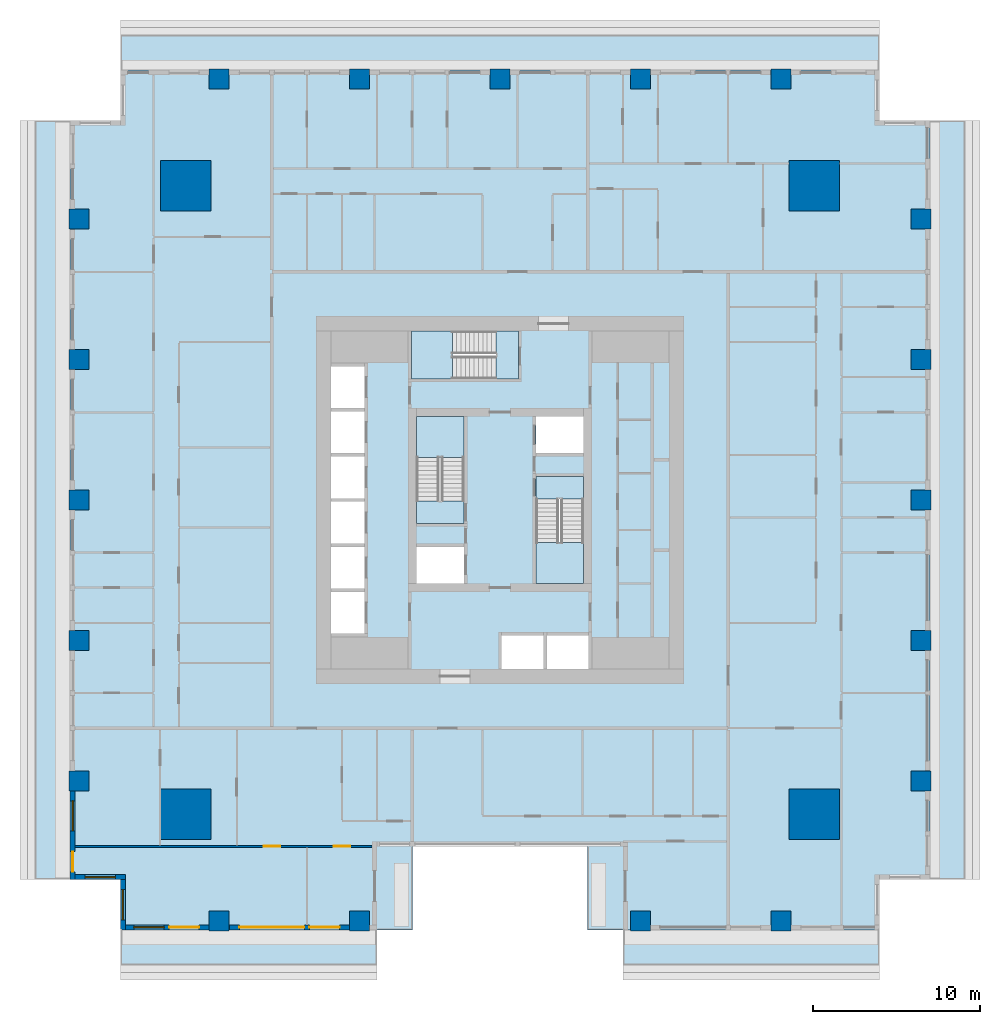
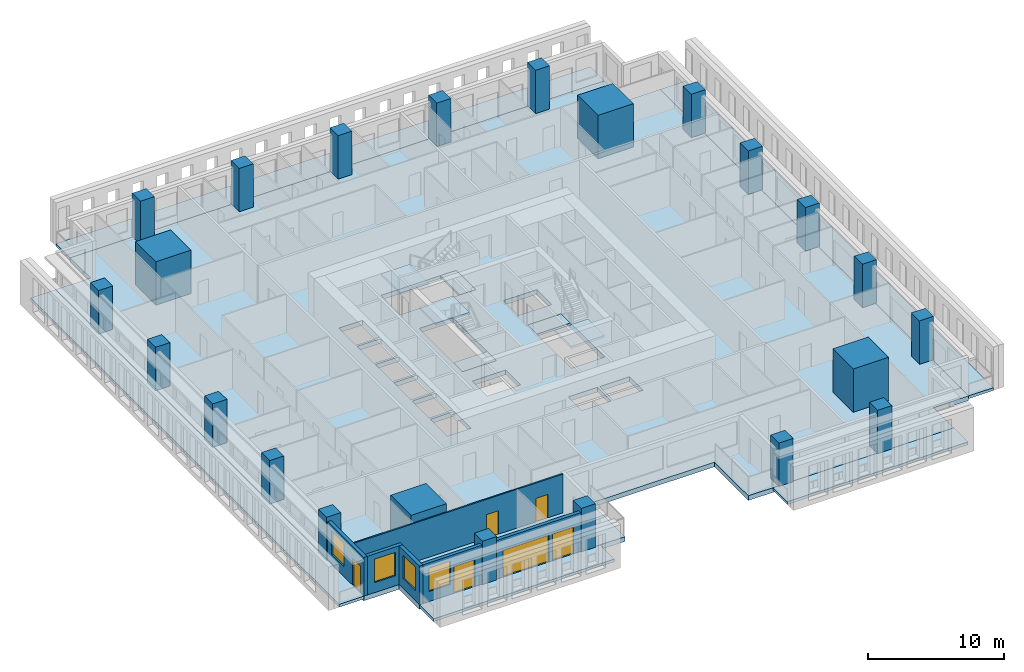
# One storey, part 1 of 15: 23 columns, 12 slabs, 6 doors, 6 walls, 4 windows, 10 openings, 3 elements without a shape of their own.
"""IFC4 building model written with IfcOpenShell, lengths in metres."""

from ifc_helpers import new_model, si_unit, direction, frame, frame_2d, origin, origin_2d, place, context, subcontext, project, spatial, polyline, rectangle, outline, extrude, material, layer, layer_set, material_profile, profile_set, type_object, element, fill, aggregate, save


model = new_model("IFC4")

# Units and contexts
model_context = context("Model", 3, precision=1e-05, world=origin(), true_north=direction((0.0, 1.0)))
body_context = subcontext(model_context, "Body", "Model", "MODEL_VIEW")
ifc_project = project(units=[si_unit("LENGTHUNIT", "METRE"), si_unit("AREAUNIT", "SQUARE_METRE"), si_unit("VOLUMEUNIT", "CUBIC_METRE"), si_unit("PLANEANGLEUNIT", "RADIAN"), si_unit("MASSUNIT", "GRAM", prefix="KILO")], contexts=[model_context])

# Site, building, storey
site_placement = place(None, origin())
site = spatial("IfcSite", under=ifc_project, at=site_placement, CompositionType="ELEMENT")
building_placement = place(site_placement, origin())
building = spatial("IfcBuilding", under=site, at=building_placement, Name="Khepri Terraces", CompositionType="ELEMENT")
storey_placement = place(building_placement, frame((0.0, 0.0, 42.60009765625)))
storey = spatial("IfcBuildingStorey", under=building, at=storey_placement, Name="L09", CompositionType="ELEMENT", Elevation=42.60009765625)

# Columns
ifc_material_1 = material(Name="Concrete C80/95", Category="concrete")
ifc_material_profile_1 = material_profile(ifc_material_1, rectangle(XDim=3.0, YDim=3.0, at=origin_2d()), Name="Concrete C80/95", Category="concrete")
ifc_profile_set_1 = profile_set([ifc_material_profile_1], Name="Concrete C80/95")
column_type_1 = type_object("IfcColumnType", Name="Mega column RC 3000x3000 C80/95", PredefinedType="COLUMN", material=ifc_profile_set_1)
for number, where, z_axis, x_axis, name in (
    (1, (18.800048828125, 18.800048828125, 0.0), (0.0, 0.0, 1.0), (1.0, 0.0, 0.0), "Mega column MEN L09"),
    (2, (18.800048828125, -18.800048828125, 0.0), (0.0, 0.0, 1.0), (1.0, 0.0, 0.0), "Mega column MES L09"),
    (3, (-18.800048828125, 18.800048828125, 0.0), (0.0, 0.0, 1.0), (1.0, 0.0, 0.0), "Mega column MWN L09"),
    (4, (-18.800048828125, -18.800048828125, 0.0), (0.0, 0.0, 1.0), (1.0, 0.0, 0.0), "Mega column MWS L09"),
):
    element("IfcColumn", number, at=place(storey_placement, frame(where, z_axis=z_axis, x_axis=x_axis)), inside=storey, type_object=column_type_1, Name=name, PredefinedType="COLUMN", context=body_context, shape_type="SweptSolid", body=[
        extrude(rectangle(XDim=3.0, YDim=3.0, at=origin_2d()), origin(), (0.0, 0.0, 1.0), 3.89990234375),
    ])
ifc_material_profile_2 = material_profile(ifc_material_1, rectangle(XDim=1.199951171875, YDim=1.199951171875, at=origin_2d()), Name="Concrete C80/95", Category="concrete")
ifc_profile_set_2 = profile_set([ifc_material_profile_2], Name="Concrete C80/95")
column_type_2 = type_object("IfcColumnType", Name="Tower column RC 1200x1200 C80/95", PredefinedType="COLUMN", material=ifc_profile_set_2)
for number, where, z_axis, x_axis, name in (
    (5, (25.199951171875, 0.0, 0.0), (0.0, 0.0, 1.0), (1.0, 0.0, 0.0), "Perimeter column PE+000a L09"),
    (6, (25.199951171875, 8.39990234375, 0.0), (0.0, 0.0, 1.0), (1.0, 0.0, 0.0), "Perimeter column PE+084a L09"),
    (7, (25.199951171875, 16.800048828125, 0.0), (0.0, 0.0, 1.0), (1.0, 0.0, 0.0), "Perimeter column PE+168a L09"),
    (8, (25.199951171875, -8.39990234375, 0.0), (0.0, 0.0, 1.0), (1.0, 0.0, 0.0), "Perimeter column PE-084a L09"),
    (9, (25.199951171875, -16.800048828125, 0.0), (0.0, 0.0, 1.0), (1.0, 0.0, 0.0), "Perimeter column PE-168a L09"),
    (10, (0.0, 25.199951171875, 0.0), (0.0, 0.0, 1.0), (1.0, 0.0, 0.0), "Perimeter column PN+000a L09"),
    (11, (-8.39990234375, 25.199951171875, 0.0), (0.0, 0.0, 1.0), (1.0, 0.0, 0.0), "Perimeter column PN+084a L09"),
    (12, (-16.800048828125, 25.199951171875, 0.0), (0.0, 0.0, 1.0), (1.0, 0.0, 0.0), "Perimeter column PN+168a L09"),
    (13, (8.39990234375, 25.199951171875, 0.0), (0.0, 0.0, 1.0), (1.0, 0.0, 0.0), "Perimeter column PN-084a L09"),
    (14, (16.800048828125, 25.199951171875, 0.0), (0.0, 0.0, 1.0), (1.0, 0.0, 0.0), "Perimeter column PN-168a L09"),
    (15, (8.39990234375, -25.199951171875, 0.0), (0.0, 0.0, 1.0), (1.0, 0.0, 0.0), "Perimeter column PS+084a L09"),
    (16, (16.800048828125, -25.199951171875, 0.0), (0.0, 0.0, 1.0), (1.0, 0.0, 0.0), "Perimeter column PS+168a L09"),
    (17, (-8.39990234375, -25.199951171875, 0.0), (0.0, 0.0, 1.0), (1.0, 0.0, 0.0), "Perimeter column PS-084a L09"),
    (18, (-16.800048828125, -25.199951171875, 0.0), (0.0, 0.0, 1.0), (1.0, 0.0, 0.0), "Perimeter column PS-168a L09"),
    (19, (-25.199951171875, 0.0, 0.0), (0.0, 0.0, 1.0), (1.0, 0.0, 0.0), "Perimeter column PW+000a L09"),
    (20, (-25.199951171875, -8.39990234375, 0.0), (0.0, 0.0, 1.0), (1.0, 0.0, 0.0), "Perimeter column PW+084a L09"),
    (21, (-25.199951171875, -16.800048828125, 0.0), (0.0, 0.0, 1.0), (1.0, 0.0, 0.0), "Perimeter column PW+168a L09"),
    (22, (-25.199951171875, 8.39990234375, 0.0), (0.0, 0.0, 1.0), (1.0, 0.0, 0.0), "Perimeter column PW-084a L09"),
    (23, (-25.199951171875, 16.800048828125, 0.0), (0.0, 0.0, 1.0), (1.0, 0.0, 0.0), "Perimeter column PW-168a L09"),
):
    element("IfcColumn", number, at=place(storey_placement, frame(where, z_axis=z_axis, x_axis=x_axis)), inside=storey, type_object=column_type_2, Name=name, PredefinedType="COLUMN", context=body_context, shape_type="SweptSolid", body=[
        extrude(rectangle(XDim=1.199951171875, YDim=1.199951171875, at=origin_2d()), origin(), (0.0, 0.0, 1.0), 3.89990234375),
    ])

# Slabs
ifc_material_2 = material(Name="Concrete C40/50", Category="concrete")
ifc_layer_1 = layer(ifc_material_2, 0.419921875, Name="Concrete C40/50", Category="concrete")
ifc_layer_set_1 = layer_set([ifc_layer_1], Name="Concrete C40/50")
slab_type_1 = type_object("IfcSlabType", Name="Flat plate 420", PredefinedType="FLOOR", material=ifc_layer_set_1)
slab_1_placement = place(storey_placement, frame((0.0, 0.0, -0.420166015625)))
element("IfcSlab", 24, at=slab_1_placement, inside=storey, type_object=slab_type_1, Name="Floor slab F01 L09", PredefinedType="FLOOR", context=body_context, shape_type="SweptSolid", body=[
    extrude(outline(polyline([(22.719970703125, -25.719970703125), (7.35009765625, -25.719970703125), (5.25, -25.719970703125), (5.25, -20.719970703125), (-5.25, -20.719970703125), (-5.25, -25.719970703125), (-7.35009765625, -25.719970703125), (-22.719970703125, -25.719970703125), (-22.719970703125, -22.719970703125), (-25.719970703125, -22.719970703125), (-25.719970703125, 22.719970703125), (-22.719970703125, 22.719970703125), (-22.719970703125, 25.719970703125), (22.719970703125, 25.719970703125), (22.719970703125, 22.719970703125), (25.719970703125, 22.719970703125), (25.719970703125, -22.719970703125), (22.719970703125, -22.719970703125), (22.719970703125, -25.719970703125)]), holes=[polyline([(5.0, 5.0), (2.14990234375, 5.0), (2.14990234375, 2.800048828125), (5.0, 2.800048828125), (5.0, 5.0)]), polyline([(-2.14990234375, -5.0), (-2.14990234375, -2.800048828125), (-5.0, -2.800048828125), (-5.0, -5.0), (-2.14990234375, -5.0)]), polyline([(-10.10009765625, -8.0), (-8.10009765625, -8.0), (-8.10009765625, -5.5), (-10.10009765625, -5.5), (-10.10009765625, -8.0)]), polyline([(-10.10009765625, -2.800048828125), (-10.10009765625, -5.300048828125), (-8.10009765625, -5.300048828125), (-8.10009765625, -2.800048828125), (-10.10009765625, -2.800048828125)]), polyline([(-8.10009765625, -0.10009765625), (-10.10009765625, -0.10009765625), (-10.10009765625, -2.60009765625), (-8.10009765625, -2.60009765625), (-8.10009765625, -0.10009765625)]), polyline([(-8.10009765625, 0.10009765625), (-8.10009765625, 2.60009765625), (-10.10009765625, 2.60009765625), (-10.10009765625, 0.10009765625), (-8.10009765625, 0.10009765625)]), polyline([(-10.10009765625, 2.800048828125), (-8.10009765625, 2.800048828125), (-8.10009765625, 5.300048828125), (-10.10009765625, 5.300048828125), (-10.10009765625, 2.800048828125)]), polyline([(-10.10009765625, 8.0), (-10.10009765625, 5.5), (-8.10009765625, 5.5), (-8.10009765625, 8.0), (-10.10009765625, 8.0)]), polyline([(2.60009765625, -8.10009765625), (0.10009765625, -8.10009765625), (0.10009765625, -10.10009765625), (2.60009765625, -10.10009765625), (2.60009765625, -8.10009765625)]), polyline([(5.300048828125, -10.10009765625), (5.300048828125, -8.10009765625), (2.800048828125, -8.10009765625), (2.800048828125, -10.10009765625), (5.300048828125, -10.10009765625)]), polyline([(-5.0, -1.39990234375), (-2.14990234375, -1.39990234375), (-2.14990234375, 5.0), (-5.0, 5.0), (-5.0, -1.39990234375)]), polyline([(5.0, -5.0), (5.0, 1.39990234375), (2.14990234375, 1.39990234375), (2.14990234375, -5.0), (5.0, -5.0)]), polyline([(-5.300048828125, 10.10009765625), (-5.300048828125, 7.25), (1.10009765625, 7.25), (1.10009765625, 10.10009765625), (-5.300048828125, 10.10009765625)])]), origin(), (0.0, 0.0, 1.0), 0.420166015625),
])
ifc_material_3 = material(Name="Precast concrete C50/60 warm stone", Category="masonry")
ifc_layer_2 = layer(ifc_material_3, 0.25, Name="Precast concrete C50/60 warm stone", Category="masonry")
ifc_layer_set_2 = layer_set([ifc_layer_2], Name="Precast concrete C50/60 warm stone")
slab_type_2 = type_object("IfcSlabType", Name="SLB-BALCONY-250", PredefinedType="FLOOR", material=ifc_layer_set_2)
slab_2_placement = place(storey_placement, frame((0.0, 0.0, -0.25)))
element("IfcSlab", 25, at=slab_2_placement, inside=storey, type_object=slab_type_2, Name="Balcony slab L09 S", PredefinedType="FLOOR", context=body_context, shape_type="SweptSolid", body=[
    extrude(outline(polyline([(-17.39990234375, -25.719970703125), (-22.719970703125, -25.719970703125), (-22.719970703125, -27.820068359375), (-7.35009765625, -27.820068359375), (-7.35009765625, -25.719970703125), (-7.800048828125, -25.719970703125), (-7.800048828125, -25.800048828125), (-9.0, -25.800048828125), (-9.0, -25.719970703125), (-16.199951171875, -25.719970703125), (-16.199951171875, -25.800048828125), (-17.39990234375, -25.800048828125), (-17.39990234375, -25.719970703125)])), origin(), (0.0, 0.0, 1.0), 0.25),
])
slab_3_placement = place(storey_placement, frame((0.0, 0.0, -0.25)))
element("IfcSlab", 26, at=slab_3_placement, inside=storey, type_object=slab_type_2, Name="Balcony slab L09 S", PredefinedType="FLOOR", context=body_context, shape_type="SweptSolid", body=[
    extrude(outline(polyline([(7.800048828125, -25.719970703125), (7.35009765625, -25.719970703125), (7.35009765625, -27.820068359375), (22.719970703125, -27.820068359375), (22.719970703125, -25.719970703125), (17.39990234375, -25.719970703125), (17.39990234375, -25.800048828125), (16.199951171875, -25.800048828125), (16.199951171875, -25.719970703125), (9.0, -25.719970703125), (9.0, -25.800048828125), (7.800048828125, -25.800048828125), (7.800048828125, -25.719970703125)])), origin(), (0.0, 0.0, 1.0), 0.25),
])
slab_4_placement = place(storey_placement, frame((0.0, 0.0, -0.25)))
element("IfcSlab", 27, at=slab_4_placement, inside=storey, type_object=slab_type_2, Name="Balcony slab L09 E", PredefinedType="FLOOR", context=body_context, shape_type="SweptSolid", body=[
    extrude(outline(polyline([(25.719970703125, -17.39990234375), (25.719970703125, -22.719970703125), (27.820068359375, -22.719970703125), (27.820068359375, 22.719970703125), (25.719970703125, 22.719970703125), (25.719970703125, 17.39990234375), (25.800048828125, 17.39990234375), (25.800048828125, 16.199951171875), (25.719970703125, 16.199951171875), (25.719970703125, 9.0), (25.800048828125, 9.0), (25.800048828125, 7.800048828125), (25.719970703125, 7.800048828125), (25.719970703125, 0.60009765625), (25.800048828125, 0.60009765625), (25.800048828125, -0.60009765625), (25.719970703125, -0.60009765625), (25.719970703125, -7.800048828125), (25.800048828125, -7.800048828125), (25.800048828125, -9.0), (25.719970703125, -9.0), (25.719970703125, -16.199951171875), (25.800048828125, -16.199951171875), (25.800048828125, -17.39990234375), (25.719970703125, -17.39990234375)])), origin(), (0.0, 0.0, 1.0), 0.25),
])
slab_5_placement = place(storey_placement, frame((0.0, 0.0, -0.25)))
element("IfcSlab", 28, at=slab_5_placement, inside=storey, type_object=slab_type_2, Name="Balcony slab L09 N", PredefinedType="FLOOR", context=body_context, shape_type="SweptSolid", body=[
    extrude(outline(polyline([(17.39990234375, 25.719970703125), (22.719970703125, 25.719970703125), (22.719970703125, 27.820068359375), (-22.719970703125, 27.820068359375), (-22.719970703125, 25.719970703125), (-17.39990234375, 25.719970703125), (-17.39990234375, 25.800048828125), (-16.199951171875, 25.800048828125), (-16.199951171875, 25.719970703125), (-9.0, 25.719970703125), (-9.0, 25.800048828125), (-7.800048828125, 25.800048828125), (-7.800048828125, 25.719970703125), (-0.60009765625, 25.719970703125), (-0.60009765625, 25.800048828125), (0.60009765625, 25.800048828125), (0.60009765625, 25.719970703125), (7.800048828125, 25.719970703125), (7.800048828125, 25.800048828125), (9.0, 25.800048828125), (9.0, 25.719970703125), (16.199951171875, 25.719970703125), (16.199951171875, 25.800048828125), (17.39990234375, 25.800048828125), (17.39990234375, 25.719970703125)])), origin(), (0.0, 0.0, 1.0), 0.25),
])
slab_6_placement = place(storey_placement, frame((0.0, 0.0, -0.25)))
element("IfcSlab", 29, at=slab_6_placement, inside=storey, type_object=slab_type_2, Name="Balcony slab L09 W", PredefinedType="FLOOR", context=body_context, shape_type="SweptSolid", body=[
    extrude(outline(polyline([(-25.719970703125, 17.39990234375), (-25.719970703125, 22.719970703125), (-27.820068359375, 22.719970703125), (-27.820068359375, -22.719970703125), (-25.719970703125, -22.719970703125), (-25.719970703125, -17.39990234375), (-25.800048828125, -17.39990234375), (-25.800048828125, -16.199951171875), (-25.719970703125, -16.199951171875), (-25.719970703125, -9.0), (-25.800048828125, -9.0), (-25.800048828125, -7.800048828125), (-25.719970703125, -7.800048828125), (-25.719970703125, -0.60009765625), (-25.800048828125, -0.60009765625), (-25.800048828125, 0.60009765625), (-25.719970703125, 0.60009765625), (-25.719970703125, 7.800048828125), (-25.800048828125, 7.800048828125), (-25.800048828125, 9.0), (-25.719970703125, 9.0), (-25.719970703125, 16.199951171875), (-25.800048828125, 16.199951171875), (-25.800048828125, 17.39990234375), (-25.719970703125, 17.39990234375)])), origin(), (0.0, 0.0, 1.0), 0.25),
])

# Stair, slabs
stair_type = type_object("IfcStairType", Name="STAIR-RC-22R", PredefinedType="HALF_TURN_STAIR", material=ifc_material_2)
stair_1_placement = place(storey_placement, origin())
stair_1 = element("IfcStair", 30, at=stair_1_placement, inside=storey, type_object=stair_type, Name="L09 Exit Stair ST-1", PredefinedType="HALF_TURN_STAIR")
ifc_layer_3 = layer(ifc_material_2, 0.199951171875, Name="Concrete C40/50", Category="concrete")
ifc_layer_set_3 = layer_set([ifc_layer_3], Name="Concrete C40/50")
slab_type_3 = type_object("IfcSlabType", Name="SLB-CORE-LANDING", PredefinedType="LANDING", material=ifc_layer_set_3)
slab_7_placement = place(storey_placement, frame((0.0, 0.0, -0.2001953125)))
slab_7 = element("IfcSlab", 31, at=slab_7_placement, type_object=slab_type_3, Name="ST-1 landing 1", PredefinedType="LANDING", context=body_context, shape_type="SweptSolid", body=[
    extrude(outline(polyline([(-2.14990234375, -1.39990234375), (-2.14990234375, -0.050048828125), (-5.0, -0.050048828125), (-5.0, -1.39990234375), (-2.14990234375, -1.39990234375)])), origin(), (0.0, 0.0, 1.0), 0.2001953125),
])
slab_8_placement = place(storey_placement, frame((0.0, 0.0, 1.75)))
slab_8 = element("IfcSlab", 32, at=slab_8_placement, type_object=slab_type_3, Name="ST-1 landing 2", PredefinedType="LANDING", context=body_context, shape_type="SweptSolid", body=[
    extrude(outline(polyline([(-2.14990234375, 2.550048828125), (-2.14990234375, 5.0), (-5.0, 5.0), (-5.0, 2.550048828125), (-2.14990234375, 2.550048828125)])), origin(), (0.0, 0.0, 1.0), 0.199951171875),
])
aggregate(stair_1, [slab_7, slab_8])

stair_2_placement = place(storey_placement, origin())
stair_2 = element("IfcStair", 33, at=stair_2_placement, inside=storey, type_object=stair_type, Name="L09 Exit Stair ST-2", PredefinedType="HALF_TURN_STAIR")
slab_9_placement = place(storey_placement, frame((0.0, 0.0, -0.2001953125)))
slab_9 = element("IfcSlab", 34, at=slab_9_placement, type_object=slab_type_3, Name="ST-2 landing 1", PredefinedType="LANDING", context=body_context, shape_type="SweptSolid", body=[
    extrude(outline(polyline([(2.14990234375, 1.39990234375), (2.14990234375, 0.050048828125), (5.0, 0.050048828125), (5.0, 1.39990234375), (2.14990234375, 1.39990234375)])), origin(), (0.0, 0.0, 1.0), 0.2001953125),
])
slab_10_placement = place(storey_placement, frame((0.0, 0.0, 1.75)))
slab_10 = element("IfcSlab", 35, at=slab_10_placement, type_object=slab_type_3, Name="ST-2 landing 2", PredefinedType="LANDING", context=body_context, shape_type="SweptSolid", body=[
    extrude(outline(polyline([(2.14990234375, -2.550048828125), (2.14990234375, -5.0), (5.0, -5.0), (5.0, -2.550048828125), (2.14990234375, -2.550048828125)])), origin(), (0.0, 0.0, 1.0), 0.199951171875),
])
aggregate(stair_2, [slab_9, slab_10])

stair_3_placement = place(storey_placement, origin())
stair_3 = element("IfcStair", 36, at=stair_3_placement, inside=storey, type_object=stair_type, Name="L09 Exit Stair ST-3", PredefinedType="HALF_TURN_STAIR")
slab_11_placement = place(storey_placement, frame((0.0, 0.0, -0.2001953125)))
slab_11 = element("IfcSlab", 37, at=slab_11_placement, type_object=slab_type_3, Name="ST-3 landing 1", PredefinedType="LANDING", context=body_context, shape_type="SweptSolid", body=[
    extrude(outline(polyline([(1.10009765625, 10.10009765625), (-0.25, 10.10009765625), (-0.25, 7.25), (1.10009765625, 7.25), (1.10009765625, 10.10009765625)])), origin(), (0.0, 0.0, 1.0), 0.2001953125),
])
slab_12_placement = place(storey_placement, frame((0.0, 0.0, 1.75)))
slab_12 = element("IfcSlab", 38, at=slab_12_placement, type_object=slab_type_3, Name="ST-3 landing 2", PredefinedType="LANDING", context=body_context, shape_type="SweptSolid", body=[
    extrude(outline(polyline([(-2.85009765625, 10.10009765625), (-5.300048828125, 10.10009765625), (-5.300048828125, 7.25), (-2.85009765625, 7.25), (-2.85009765625, 10.10009765625)])), origin(), (0.0, 0.0, 1.0), 0.199951171875),
])
aggregate(stair_3, [slab_11, slab_12])

# Wall, openings, door, window
ifc_layer_4 = layer(ifc_material_3, 0.300048828125, Name="Precast concrete C50/60 warm stone", Category="masonry")
ifc_layer_set_4 = layer_set([ifc_layer_4], Name="Precast concrete C50/60 warm stone")
wall_type_1 = type_object("IfcWallType", Name="WL-EXT-PRECAST-300", PredefinedType="STANDARD", material=ifc_layer_set_4)
wall_1_placement = place(storey_placement, frame((-25.570068359375, -17.39990234375, 0.0), z_axis=(0.0, 0.0, 1.0), x_axis=(0.0, -1.0, 0.0)))
wall_1 = element("IfcWall", 39, at=wall_1_placement, inside=storey, type_object=wall_type_1, Name="External wall L09 W", PredefinedType="STANDARD", context=body_context, shape_type="SweptSolid", body=[
    extrude(rectangle(XDim=5.320068359375, YDim=0.300048828125, at=frame_2d((2.66015625, 0.0))), origin(), (0.0, 0.0, 1.0), 3.47998046875),
])
opening_1_placement = place(wall_1_placement, frame((0.60009765625, 0.0, 0.89990234375)))
opening_1 = element("IfcOpeningElement", 40, at=opening_1_placement, cuts=wall_1, Name="Opening W1", PredefinedType="OPENING", context=body_context, shape_type="SweptSolid", body=[
    extrude(rectangle(XDim=1.800048828125, YDim=2.10009765625, at=frame_2d((0.89990234375, 1.050048828125))), frame((0.0, 0.16015625, 0.0), z_axis=(0.0, -1.0, 0.0), x_axis=(1.0, 0.0, 0.0)), (0.0, 0.0, 1.0), 0.320068359375),
])
opening_2_placement = place(wall_1_placement, frame((3.64501953125, 0.0, 0.0)))
opening_2 = element("IfcOpeningElement", 41, at=opening_2_placement, cuts=wall_1, Name="Opening ED-L09-18", PredefinedType="OPENING", context=body_context, shape_type="SweptSolid", body=[
    extrude(rectangle(XDim=1.199951171875, YDim=2.39990234375, at=frame_2d((0.60009765625, 1.199951171875))), frame((0.0, 0.16015625, 0.0), z_axis=(0.0, -1.0, 0.0), x_axis=(1.0, 0.0, 0.0)), (0.0, 0.0, 1.0), 0.320068359375),
])
ifc_material_4 = material(Name="Anodised aluminium bronze glazed door", Category="aluminium")
door_type_1 = type_object("IfcDoorType", Name="DR-BAL-SLIDE-1200x2400", OperationType="NOTDEFINED", PredefinedType="DOOR", material=ifc_material_4)
door_1_placement = place(opening_2_placement, origin())
door_1 = element("IfcDoor", 42, at=door_1_placement, inside=storey, type_object=door_type_1, Name="Balcony door L09 W", OperationType="SLIDING_TO_RIGHT", OverallHeight=2.39990234375, OverallWidth=1.199951171875, PredefinedType="DOOR", context=body_context, shape_type="SweptSolid", body=[
    extrude(rectangle(XDim=1.199951171875, YDim=2.39990234375, at=frame_2d((0.60009765625, 1.199951171875))), frame((0.0, 0.02490234375, 0.0), z_axis=(0.0, -1.0, 0.0), x_axis=(1.0, 0.0, 0.0)), (0.0, 0.0, 1.0), 0.050048828125),
])
fill(opening_2, door_1)
ifc_material_5 = material(Name="Clear glass", Category="glass")
window_type = type_object("IfcWindowType", Name="WIN-RES-1800x2100", PartitioningType="SINGLE_PANEL", PredefinedType="WINDOW", material=ifc_material_5)
window_1_placement = place(opening_1_placement, origin())
window_1 = element("IfcWindow", 43, at=window_1_placement, inside=storey, type_object=window_type, Name="Window L09 W", OverallHeight=2.10009765625, OverallWidth=1.800048828125, PartitioningType="SINGLE_PANEL", PredefinedType="WINDOW", context=body_context, shape_type="SweptSolid", body=[
    extrude(rectangle(XDim=1.800048828125, YDim=2.10009765625, at=frame_2d((0.89990234375, 1.050048828125))), frame((0.0, 0.030029296875, 0.0), z_axis=(0.0, -1.0, 0.0), x_axis=(1.0, 0.0, 0.0)), (0.0, 0.0, 1.0), 0.06005859375),
])
fill(opening_1, window_1)

# Wall, opening, window
wall_2_placement = place(storey_placement, frame((-25.419921875, -22.570068359375, 0.0), z_axis=(0.0, 0.0, 1.0), x_axis=(1.0, 0.0, 0.0)))
wall_2 = element("IfcWall", 44, at=wall_2_placement, inside=storey, type_object=wall_type_1, Name="External wall L09 S", PredefinedType="STANDARD", context=body_context, shape_type="SweptSolid", body=[
    extrude(rectangle(XDim=3.0, YDim=0.300048828125, at=frame_2d((1.5, 0.0))), origin(), (0.0, 0.0, 1.0), 3.47998046875),
])
opening_3_placement = place(wall_2_placement, frame((0.60009765625, 0.0, 0.89990234375)))
opening_3 = element("IfcOpeningElement", 45, at=opening_3_placement, cuts=wall_2, Name="Opening W1", PredefinedType="OPENING", context=body_context, shape_type="SweptSolid", body=[
    extrude(rectangle(XDim=1.800048828125, YDim=2.10009765625, at=frame_2d((0.89990234375, 1.050048828125))), frame((0.0, 0.16015625, 0.0), z_axis=(0.0, -1.0, 0.0), x_axis=(1.0, 0.0, 0.0)), (0.0, 0.0, 1.0), 0.320068359375),
])
window_2_placement = place(opening_3_placement, origin())
window_2 = element("IfcWindow", 46, at=window_2_placement, inside=storey, type_object=window_type, Name="Window L09 S", OverallHeight=2.10009765625, OverallWidth=1.800048828125, PartitioningType="SINGLE_PANEL", PredefinedType="WINDOW", context=body_context, shape_type="SweptSolid", body=[
    extrude(rectangle(XDim=1.800048828125, YDim=2.10009765625, at=frame_2d((0.89990234375, 1.050048828125))), frame((0.0, 0.030029296875, 0.0), z_axis=(0.0, -1.0, 0.0), x_axis=(1.0, 0.0, 0.0)), (0.0, 0.0, 1.0), 0.06005859375),
])
fill(opening_3, window_2)

wall_3_placement = place(storey_placement, frame((-22.570068359375, -22.719970703125, 0.0), z_axis=(0.0, 0.0, 1.0), x_axis=(0.0, -1.0, 0.0)))
wall_3 = element("IfcWall", 47, at=wall_3_placement, inside=storey, type_object=wall_type_1, Name="External wall L09 W", PredefinedType="STANDARD", context=body_context, shape_type="SweptSolid", body=[
    extrude(rectangle(XDim=3.0, YDim=0.300048828125, at=frame_2d((1.5, 0.0))), origin(), (0.0, 0.0, 1.0), 3.47998046875),
])
opening_4_placement = place(wall_3_placement, frame((0.60009765625, 0.0, 0.89990234375)))
opening_4 = element("IfcOpeningElement", 48, at=opening_4_placement, cuts=wall_3, Name="Opening W1", PredefinedType="OPENING", context=body_context, shape_type="SweptSolid", body=[
    extrude(rectangle(XDim=1.800048828125, YDim=2.10009765625, at=frame_2d((0.89990234375, 1.050048828125))), frame((0.0, 0.16015625, 0.0), z_axis=(0.0, -1.0, 0.0), x_axis=(1.0, 0.0, 0.0)), (0.0, 0.0, 1.0), 0.320068359375),
])
window_3_placement = place(opening_4_placement, origin())
window_3 = element("IfcWindow", 49, at=window_3_placement, inside=storey, type_object=window_type, Name="Window L09 W", OverallHeight=2.10009765625, OverallWidth=1.800048828125, PartitioningType="SINGLE_PANEL", PredefinedType="WINDOW", context=body_context, shape_type="SweptSolid", body=[
    extrude(rectangle(XDim=1.800048828125, YDim=2.10009765625, at=frame_2d((0.89990234375, 1.050048828125))), frame((0.0, 0.030029296875, 0.0), z_axis=(0.0, -1.0, 0.0), x_axis=(1.0, 0.0, 0.0)), (0.0, 0.0, 1.0), 0.06005859375),
])
fill(opening_4, window_3)

# Wall, openings, door, window
wall_4_placement = place(storey_placement, frame((-22.419921875, -25.570068359375, 0.0), z_axis=(0.0, 0.0, 1.0), x_axis=(1.0, 0.0, 0.0)))
wall_4 = element("IfcWall", 50, at=wall_4_placement, inside=storey, type_object=wall_type_1, Name="External wall L09 S", PredefinedType="STANDARD", context=body_context, shape_type="SweptSolid", body=[
    extrude(rectangle(XDim=5.02001953125, YDim=0.300048828125, at=frame_2d((2.510009765625, 0.0))), origin(), (0.0, 0.0, 1.0), 3.47998046875),
])
opening_5_placement = place(wall_4_placement, frame((0.52001953125, 0.0, 0.89990234375)))
opening_5 = element("IfcOpeningElement", 51, at=opening_5_placement, cuts=wall_4, Name="Opening W1", PredefinedType="OPENING", context=body_context, shape_type="SweptSolid", body=[
    extrude(rectangle(XDim=1.800048828125, YDim=2.10009765625, at=frame_2d((0.89990234375, 1.050048828125))), frame((0.0, 0.16015625, 0.0), z_axis=(0.0, -1.0, 0.0), x_axis=(1.0, 0.0, 0.0)), (0.0, 0.0, 1.0), 0.320068359375),
])
opening_6_placement = place(wall_4_placement, frame((2.6201171875, 0.0, 0.0)))
opening_6 = element("IfcOpeningElement", 52, at=opening_6_placement, cuts=wall_4, Name="Opening ED-L09-19", PredefinedType="OPENING", context=body_context, shape_type="SweptSolid", body=[
    extrude(rectangle(XDim=1.800048828125, YDim=2.39990234375, at=frame_2d((0.89990234375, 1.199951171875))), frame((0.0, 0.16015625, 0.0), z_axis=(0.0, -1.0, 0.0), x_axis=(1.0, 0.0, 0.0)), (0.0, 0.0, 1.0), 0.320068359375),
])
door_type_2 = type_object("IfcDoorType", Name="DR-BAL-SLIDE-1800x2400", OperationType="NOTDEFINED", PredefinedType="DOOR", material=ifc_material_4)
door_2_placement = place(opening_6_placement, origin())
door_2 = element("IfcDoor", 53, at=door_2_placement, inside=storey, type_object=door_type_2, Name="Balcony door L09 S", OperationType="SLIDING_TO_RIGHT", OverallHeight=2.39990234375, OverallWidth=1.800048828125, PredefinedType="DOOR", context=body_context, shape_type="SweptSolid", body=[
    extrude(rectangle(XDim=1.800048828125, YDim=2.39990234375, at=frame_2d((0.89990234375, 1.199951171875))), frame((0.0, 0.02490234375, 0.0), z_axis=(0.0, -1.0, 0.0), x_axis=(1.0, 0.0, 0.0)), (0.0, 0.0, 1.0), 0.050048828125),
])
fill(opening_6, door_2)
window_4_placement = place(opening_5_placement, origin())
window_4 = element("IfcWindow", 54, at=window_4_placement, inside=storey, type_object=window_type, Name="Window L09 S", OverallHeight=2.10009765625, OverallWidth=1.800048828125, PartitioningType="SINGLE_PANEL", PredefinedType="WINDOW", context=body_context, shape_type="SweptSolid", body=[
    extrude(rectangle(XDim=1.800048828125, YDim=2.10009765625, at=frame_2d((0.89990234375, 1.050048828125))), frame((0.0, 0.030029296875, 0.0), z_axis=(0.0, -1.0, 0.0), x_axis=(1.0, 0.0, 0.0)), (0.0, 0.0, 1.0), 0.06005859375),
])
fill(opening_5, window_4)

# Wall, openings, doors
wall_5_placement = place(storey_placement, frame((-16.199951171875, -25.570068359375, 0.0), z_axis=(0.0, 0.0, 1.0), x_axis=(1.0, 0.0, 0.0)))
wall_5 = element("IfcWall", 55, at=wall_5_placement, inside=storey, type_object=wall_type_1, Name="External wall L09 S", PredefinedType="STANDARD", context=body_context, shape_type="SweptSolid", body=[
    extrude(rectangle(XDim=7.199951171875, YDim=0.300048828125, at=frame_2d((3.60009765625, 0.0))), origin(), (0.0, 0.0, 1.0), 3.47998046875),
])
opening_7_placement = place(wall_5_placement, frame((0.60009765625, 0.0, 0.0)))
opening_7 = element("IfcOpeningElement", 56, at=opening_7_placement, cuts=wall_5, Name="Opening ED-L09-20", PredefinedType="OPENING", context=body_context, shape_type="SweptSolid", body=[
    extrude(rectangle(XDim=3.89990234375, YDim=2.39990234375, at=frame_2d((1.949951171875, 1.199951171875))), frame((0.0, 0.16015625, 0.0), z_axis=(0.0, -1.0, 0.0), x_axis=(1.0, 0.0, 0.0)), (0.0, 0.0, 1.0), 0.320068359375),
])
opening_8_placement = place(wall_5_placement, frame((4.800048828125, 0.0, 0.0)))
opening_8 = element("IfcOpeningElement", 57, at=opening_8_placement, cuts=wall_5, Name="Opening ED-L09-21", PredefinedType="OPENING", context=body_context, shape_type="SweptSolid", body=[
    extrude(rectangle(XDim=1.800048828125, YDim=2.39990234375, at=frame_2d((0.89990234375, 1.199951171875))), frame((0.0, 0.16015625, 0.0), z_axis=(0.0, -1.0, 0.0), x_axis=(1.0, 0.0, 0.0)), (0.0, 0.0, 1.0), 0.320068359375),
])
door_3_placement = place(opening_8_placement, origin())
door_3 = element("IfcDoor", 58, at=door_3_placement, inside=storey, type_object=door_type_2, Name="Balcony door L09 S", OperationType="SLIDING_TO_RIGHT", OverallHeight=2.39990234375, OverallWidth=1.800048828125, PredefinedType="DOOR", context=body_context, shape_type="SweptSolid", body=[
    extrude(rectangle(XDim=1.800048828125, YDim=2.39990234375, at=frame_2d((0.89990234375, 1.199951171875))), frame((0.0, 0.02490234375, 0.0), z_axis=(0.0, -1.0, 0.0), x_axis=(1.0, 0.0, 0.0)), (0.0, 0.0, 1.0), 0.050048828125),
])
fill(opening_8, door_3)
door_type_3 = type_object("IfcDoorType", Name="DR-BAL-SLIDE-3900x2400", OperationType="NOTDEFINED", PredefinedType="DOOR", material=ifc_material_4)
door_4_placement = place(opening_7_placement, origin())
door_4 = element("IfcDoor", 59, at=door_4_placement, inside=storey, type_object=door_type_3, Name="Balcony door L09 S", OperationType="SLIDING_TO_LEFT", OverallHeight=2.39990234375, OverallWidth=3.89990234375, PredefinedType="DOOR", context=body_context, shape_type="SweptSolid", body=[
    extrude(rectangle(XDim=3.89990234375, YDim=2.39990234375, at=frame_2d((1.949951171875, 1.199951171875))), frame((0.0, 0.02490234375, 0.0), z_axis=(0.0, -1.0, 0.0), x_axis=(1.0, 0.0, 0.0)), (0.0, 0.0, 1.0), 0.050048828125),
])
fill(opening_7, door_4)

ifc_material_6 = material(Name="Gypsum plasterboard partition")
ifc_layer_5 = layer(ifc_material_6, 0.1201171875, Name="Gypsum plasterboard partition")
ifc_layer_set_5 = layer_set([ifc_layer_5], Name="Gypsum plasterboard partition")
wall_type_2 = type_object("IfcWallType", Name="WL-PART-120", PredefinedType="PARTITIONING", material=ifc_layer_set_5)
wall_6_placement = place(storey_placement, frame((-25.419921875, -20.719970703125, 0.0), z_axis=(0.0, 0.0, 1.0), x_axis=(1.0, 0.0, 0.0)))
wall_6 = element("IfcWall", 60, at=wall_6_placement, inside=storey, type_object=wall_type_2, Name="Partition P-004 L09", PredefinedType="PARTITIONING", context=body_context, shape_type="SweptSolid", body=[
    extrude(rectangle(XDim=17.77001953125, YDim=0.1201171875, at=frame_2d((8.885009765625, 0.0))), origin(), (0.0, 0.0, 1.0), 3.47998046875),
])
opening_9_placement = place(wall_6_placement, frame((11.27001953125, 0.0, 0.0)))
opening_9 = element("IfcOpeningElement", 61, at=opening_9_placement, cuts=wall_6, Name="Opening D2", PredefinedType="OPENING", context=body_context, shape_type="SweptSolid", body=[
    extrude(rectangle(XDim=1.0, YDim=2.10009765625, at=frame_2d((0.5, 1.050048828125))), frame((0.0, 0.070068359375, 0.0), z_axis=(0.0, -1.0, 0.0), x_axis=(1.0, 0.0, 0.0)), (0.0, 0.0, 1.0), 0.14013671875),
])
opening_10_placement = place(wall_6_placement, frame((15.469970703125, 0.0, 0.0)))
opening_10 = element("IfcOpeningElement", 62, at=opening_10_placement, cuts=wall_6, Name="Opening D2", PredefinedType="OPENING", context=body_context, shape_type="SweptSolid", body=[
    extrude(rectangle(XDim=1.0, YDim=2.10009765625, at=frame_2d((0.5, 1.050048828125))), frame((0.0, 0.070068359375, 0.0), z_axis=(0.0, -1.0, 0.0), x_axis=(1.0, 0.0, 0.0)), (0.0, 0.0, 1.0), 0.14013671875),
])
ifc_material_7 = material(Name="Timber door leaf, living room door", Category="wood")
door_type_4 = type_object("IfcDoorType", Name="DR-INT-1000", OperationType="NOTDEFINED", PredefinedType="DOOR", material=ifc_material_7)
door_5_placement = place(opening_9_placement, frame((1.0, 0.0, 0.0), z_axis=(0.0, 0.0, 1.0), x_axis=(-1.0, 0.0, 0.0)))
door_5 = element("IfcDoor", 63, at=door_5_placement, inside=storey, type_object=door_type_4, Name="Door Living Room", OperationType="SINGLE_SWING_LEFT", OverallHeight=2.10009765625, OverallWidth=1.0, PredefinedType="DOOR", context=body_context, shape_type="SweptSolid", body=[
    extrude(rectangle(XDim=1.0, YDim=2.10009765625, at=frame_2d((0.5, 1.050048828125))), frame((0.0, 0.02490234375, 0.0), z_axis=(0.0, -1.0, 0.0), x_axis=(1.0, 0.0, 0.0)), (0.0, 0.0, 1.0), 0.050048828125),
])
fill(opening_9, door_5)
door_6_placement = place(opening_10_placement, frame((1.0, 0.0, 0.0), z_axis=(0.0, 0.0, 1.0), x_axis=(-1.0, 0.0, 0.0)))
door_6 = element("IfcDoor", 64, at=door_6_placement, inside=storey, type_object=door_type_4, Name="Door Sun Lounge", OperationType="SINGLE_SWING_LEFT", OverallHeight=2.10009765625, OverallWidth=1.0, PredefinedType="DOOR", context=body_context, shape_type="SweptSolid", body=[
    extrude(rectangle(XDim=1.0, YDim=2.10009765625, at=frame_2d((0.5, 1.050048828125))), frame((0.0, 0.02490234375, 0.0), z_axis=(0.0, -1.0, 0.0), x_axis=(1.0, 0.0, 0.0)), (0.0, 0.0, 1.0), 0.050048828125),
])
fill(opening_10, door_6)

save(model, "model.ifc")
